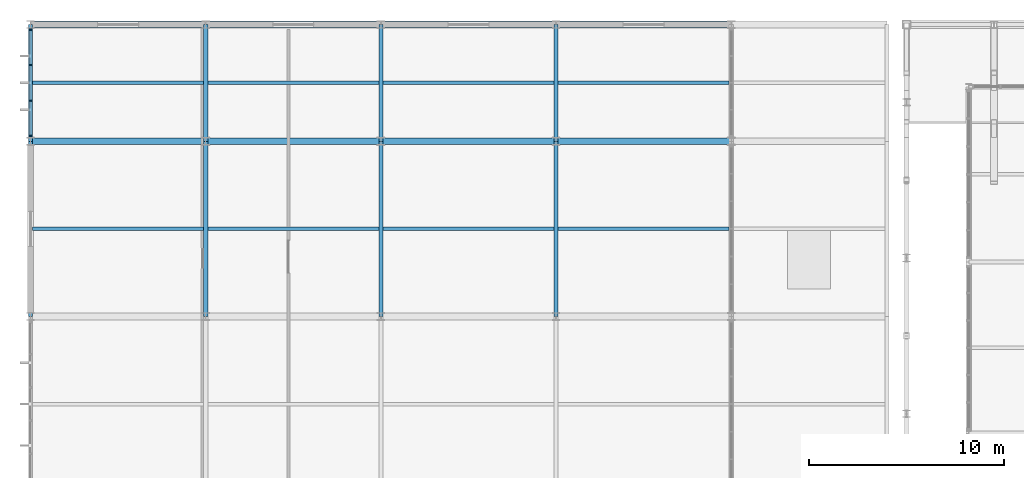
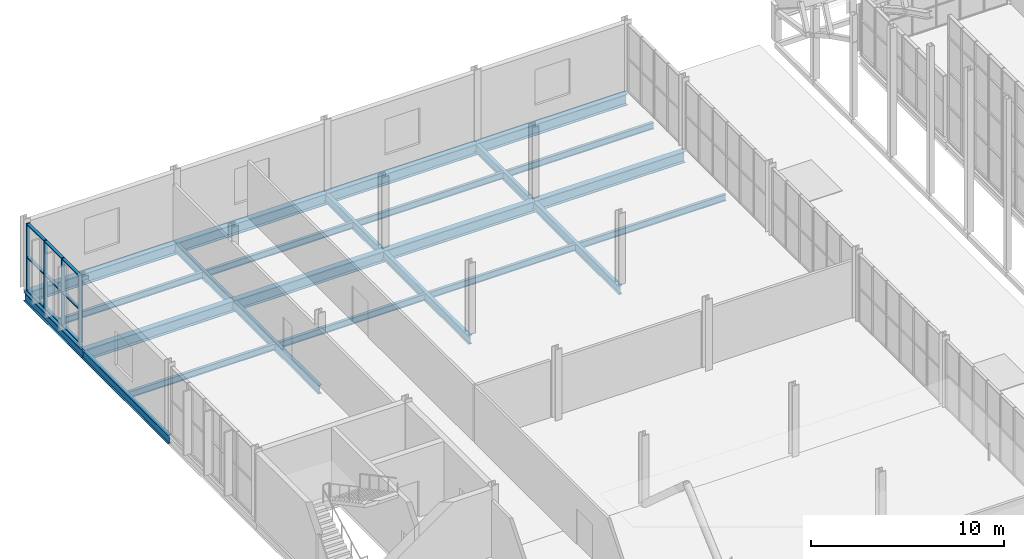
# One storey, part 52 of 134: 24 beams, 13 members, 1 element without a shape of its own.
"""IFC4 building model written with IfcOpenShell, lengths in metres."""

from ifc_helpers import new_model, si_unit, direction, frame, origin, origin_2d, place, context, subcontext, project, spatial, rectangle, i_section, extrude, material, layer, layer_set, material_profile, profile_set, type_object, element, aggregate, save


model = new_model("IFC4")

# Units and contexts
model_context = context("Model", 3, precision=1e-05, world=origin(), true_north=direction((0.0, 1.0)))
body_context = subcontext(model_context, "Body", "Model", "MODEL_VIEW")
ifc_project = project(units=[si_unit("LENGTHUNIT", "METRE"), si_unit("AREAUNIT", "SQUARE_METRE"), si_unit("VOLUMEUNIT", "CUBIC_METRE"), si_unit("PLANEANGLEUNIT", "RADIAN"), si_unit("MASSUNIT", "GRAM", prefix="KILO")], contexts=[model_context])

# Site, building, storey
site_placement = place(None, origin())
site = spatial("IfcSite", under=ifc_project, at=site_placement, CompositionType="ELEMENT")
building_placement = place(site_placement, origin())
building = spatial("IfcBuilding", under=site, at=building_placement, Name="Cazmaro Siding Exhibition Halls", CompositionType="ELEMENT")
storey_placement = place(building_placement, frame((0.0, 0.0, 12.0)))
storey = spatial("IfcBuildingStorey", under=building, at=storey_placement, Name="L02", CompositionType="ELEMENT", Elevation=12.0)

# Beams
ifc_material_1 = material(Name="Steel ASTM A992 Grade 50", Category="steel")
ifc_material_profile_1 = material_profile(ifc_material_1, i_section(OverallWidth=0.214111328125, OverallDepth=0.549072265625, WebThickness=0.014892578125, FlangeThickness=0.02392578125, at=origin_2d()), Name="W21X93")
ifc_profile_set_1 = profile_set([ifc_material_profile_1], Name="Steel ASTM A992 Grade 50")
beam_type_1 = type_object("IfcBeamType", Name="B-01", PredefinedType="BEAM", material=ifc_profile_set_1)
beam_1_placement = place(storey_placement, frame((0.0, 109.0, -0.4951171875), z_axis=(0.0, 1.0, 0.0), x_axis=(-1.0, 0.0, 0.0)))
element("IfcBeam", 1, at=beam_1_placement, inside=storey, type_object=beam_type_1, Name="Beam B-01 BM-2122", PredefinedType="BEAM", context=body_context, shape_type="SweptSolid", body=[
    extrude(i_section(OverallWidth=0.214111328125, OverallDepth=0.549072265625, WebThickness=0.014892578125, FlangeThickness=0.02392578125, at=origin_2d()), origin(), (0.0, 0.0, 1.0), 9.0),
])
beam_2_placement = place(storey_placement, frame((0.0, 118.0, -0.4951171875), z_axis=(0.0, 1.0, 0.0), x_axis=(-1.0, 0.0, 0.0)))
element("IfcBeam", 2, at=beam_2_placement, inside=storey, type_object=beam_type_1, Name="Beam B-01 BM-2123", PredefinedType="BEAM", context=body_context, shape_type="SweptSolid", body=[
    extrude(i_section(OverallWidth=0.214111328125, OverallDepth=0.549072265625, WebThickness=0.014892578125, FlangeThickness=0.02392578125, at=origin_2d()), origin(), (0.0, 0.0, 1.0), 6.0),
])
beam_3_placement = place(storey_placement, frame((9.0, 109.0, -0.4951171875), z_axis=(0.0, 1.0, 0.0), x_axis=(-1.0, 0.0, 0.0)))
element("IfcBeam", 3, at=beam_3_placement, inside=storey, type_object=beam_type_1, Name="Beam B-01 BM-2130", PredefinedType="BEAM", context=body_context, shape_type="SweptSolid", body=[
    extrude(i_section(OverallWidth=0.214111328125, OverallDepth=0.549072265625, WebThickness=0.014892578125, FlangeThickness=0.02392578125, at=origin_2d()), origin(), (0.0, 0.0, 1.0), 9.0),
])
beam_4_placement = place(storey_placement, frame((9.0, 118.0, -0.4951171875), z_axis=(0.0, 1.0, 0.0), x_axis=(-1.0, 0.0, 0.0)))
element("IfcBeam", 4, at=beam_4_placement, inside=storey, type_object=beam_type_1, Name="Beam B-01 BM-2131", PredefinedType="BEAM", context=body_context, shape_type="SweptSolid", body=[
    extrude(i_section(OverallWidth=0.214111328125, OverallDepth=0.549072265625, WebThickness=0.014892578125, FlangeThickness=0.02392578125, at=origin_2d()), origin(), (0.0, 0.0, 1.0), 6.0),
])
beam_5_placement = place(storey_placement, frame((18.0, 109.0, -0.4951171875), z_axis=(0.0, 1.0, 0.0), x_axis=(-1.0, 0.0, 0.0)))
element("IfcBeam", 5, at=beam_5_placement, inside=storey, type_object=beam_type_1, Name="Beam B-01 BM-2138", PredefinedType="BEAM", context=body_context, shape_type="SweptSolid", body=[
    extrude(i_section(OverallWidth=0.214111328125, OverallDepth=0.549072265625, WebThickness=0.014892578125, FlangeThickness=0.02392578125, at=origin_2d()), origin(), (0.0, 0.0, 1.0), 9.0),
])
beam_6_placement = place(storey_placement, frame((18.0, 118.0, -0.4951171875), z_axis=(0.0, 1.0, 0.0), x_axis=(-1.0, 0.0, 0.0)))
element("IfcBeam", 6, at=beam_6_placement, inside=storey, type_object=beam_type_1, Name="Beam B-01 BM-2139", PredefinedType="BEAM", context=body_context, shape_type="SweptSolid", body=[
    extrude(i_section(OverallWidth=0.214111328125, OverallDepth=0.549072265625, WebThickness=0.014892578125, FlangeThickness=0.02392578125, at=origin_2d()), origin(), (0.0, 0.0, 1.0), 6.0),
])
beam_7_placement = place(storey_placement, frame((27.0, 109.0, -0.4951171875), z_axis=(0.0, 1.0, 0.0), x_axis=(-1.0, 0.0, 0.0)))
element("IfcBeam", 7, at=beam_7_placement, inside=storey, type_object=beam_type_1, Name="Beam B-01 BM-2146", PredefinedType="BEAM", context=body_context, shape_type="SweptSolid", body=[
    extrude(i_section(OverallWidth=0.214111328125, OverallDepth=0.549072265625, WebThickness=0.014892578125, FlangeThickness=0.02392578125, at=origin_2d()), origin(), (0.0, 0.0, 1.0), 9.0),
])
beam_8_placement = place(storey_placement, frame((27.0, 118.0, -0.4951171875), z_axis=(0.0, 1.0, 0.0), x_axis=(-1.0, 0.0, 0.0)))
element("IfcBeam", 8, at=beam_8_placement, inside=storey, type_object=beam_type_1, Name="Beam B-01 BM-2147", PredefinedType="BEAM", context=body_context, shape_type="SweptSolid", body=[
    extrude(i_section(OverallWidth=0.214111328125, OverallDepth=0.549072265625, WebThickness=0.014892578125, FlangeThickness=0.02392578125, at=origin_2d()), origin(), (0.0, 0.0, 1.0), 6.0),
])

# Curtain wall, members
ifc_material_2 = material(Name="Anodized Bronze Aluminum and Solar-Control Low-E Glazing", Category="aluminium")
ifc_layer = layer(ifc_material_2, 0.199951171875)
ifc_layer_set = layer_set([ifc_layer], Name="Anodized Bronze Aluminum and Solar-Control Low-E Glazing")
curtain_wall_type = type_object("IfcCurtainWallType", Name="CWS-02", PredefinedType="USERDEFINED", material=ifc_layer_set)
curtain_wall_placement = place(storey_placement, origin())
curtain_wall = element("IfcCurtainWall", 9, at=curtain_wall_placement, inside=storey, type_object=curtain_wall_type, Name="Glazed Curtain Wall CWS-02 CW-245", ObjectType="GLAZED CURTAIN WALL", PredefinedType="USERDEFINED")
ifc_material_3 = material(Name="Anodized Bronze Extruded Aluminum", Category="aluminium")
ifc_material_profile_2 = material_profile(ifc_material_3, rectangle(XDim=0.199951171875, YDim=0.06494140625, at=origin_2d()), Name="CWM-02")
ifc_profile_set_2 = profile_set([ifc_material_profile_2], Name="Anodized Bronze Extruded Aluminum")
member_type_1 = type_object("IfcMemberType", Name="CWM-02", PredefinedType="MULLION", material=ifc_profile_set_2)
member_1_placement = place(storey_placement, frame((0.0, 123.722412109375, 0.0), z_axis=(0.0, 0.0, 1.0), x_axis=(1.0, 0.0, 0.0)))
member_1 = element("IfcMember", 10, at=member_1_placement, type_object=member_type_1, Name="CWS-02 mullion 1", PredefinedType="MULLION", context=body_context, shape_type="SweptSolid", body=[
    extrude(rectangle(XDim=0.199951171875, YDim=0.06494140625, at=origin_2d()), origin(), (0.0, 0.0, 1.0), 4.280029296875),
])
member_2_placement = place(storey_placement, frame((0.0, 121.918212890625, 0.0), z_axis=(0.0, 0.0, 1.0), x_axis=(1.0, 0.0, 0.0)))
member_2 = element("IfcMember", 11, at=member_2_placement, type_object=member_type_1, Name="CWS-02 mullion 2", PredefinedType="MULLION", context=body_context, shape_type="SweptSolid", body=[
    extrude(rectangle(XDim=0.199951171875, YDim=0.06494140625, at=origin_2d()), origin(), (0.0, 0.0, 1.0), 4.280029296875),
])
member_3_placement = place(storey_placement, frame((0.0, 120.081787109375, 0.0), z_axis=(0.0, 0.0, 1.0), x_axis=(1.0, 0.0, 0.0)))
member_3 = element("IfcMember", 12, at=member_3_placement, type_object=member_type_1, Name="CWS-02 mullion 3", PredefinedType="MULLION", context=body_context, shape_type="SweptSolid", body=[
    extrude(rectangle(XDim=0.199951171875, YDim=0.06494140625, at=origin_2d()), origin(), (0.0, 0.0, 1.0), 4.280029296875),
])
member_4_placement = place(storey_placement, frame((0.0, 118.277587890625, 0.0), z_axis=(0.0, 0.0, 1.0), x_axis=(1.0, 0.0, 0.0)))
member_4 = element("IfcMember", 13, at=member_4_placement, type_object=member_type_1, Name="CWS-02 mullion 4", PredefinedType="MULLION", context=body_context, shape_type="SweptSolid", body=[
    extrude(rectangle(XDim=0.199951171875, YDim=0.06494140625, at=origin_2d()), origin(), (0.0, 0.0, 1.0), 4.280029296875),
])
ifc_material_4 = material(Name="Anodized Bronze Extruded Aluminum", Category="aluminium")
ifc_material_profile_3 = material_profile(ifc_material_4, rectangle(XDim=0.179931640625, YDim=0.06494140625, at=origin_2d()), Name="CWT-02")
ifc_profile_set_3 = profile_set([ifc_material_profile_3], Name="Anodized Bronze Extruded Aluminum")
member_type_2 = type_object("IfcMemberType", Name="CWT-02", PredefinedType="MULLION", material=ifc_profile_set_3)
member_5_placement = place(storey_placement, frame((0.0, 123.68994140625, 0.032470703125), z_axis=(0.0, -1.0, 0.0), x_axis=(1.0, 0.0, 0.0)))
member_5 = element("IfcMember", 14, at=member_5_placement, type_object=member_type_2, Name="CWS-02 transom 1.1", ObjectType="TRANSOM", PredefinedType="USERDEFINED", context=body_context, shape_type="SweptSolid", body=[
    extrude(rectangle(XDim=0.179931640625, YDim=0.06494140625, at=origin_2d()), origin(), (0.0, 0.0, 1.0), 1.739013671875),
])
member_6_placement = place(storey_placement, frame((0.0, 123.68994140625, 2.139892578125), z_axis=(0.0, -1.0, 0.0), x_axis=(1.0, 0.0, 0.0)))
member_6 = element("IfcMember", 15, at=member_6_placement, type_object=member_type_2, Name="CWS-02 transom 1.2", ObjectType="TRANSOM", PredefinedType="USERDEFINED", context=body_context, shape_type="SweptSolid", body=[
    extrude(rectangle(XDim=0.179931640625, YDim=0.06494140625, at=origin_2d()), origin(), (0.0, 0.0, 1.0), 1.739013671875),
])
member_7_placement = place(storey_placement, frame((0.0, 123.68994140625, 4.24755859375), z_axis=(0.0, -1.0, 0.0), x_axis=(1.0, 0.0, 0.0)))
member_7 = element("IfcMember", 16, at=member_7_placement, type_object=member_type_2, Name="CWS-02 transom 1.3", ObjectType="TRANSOM", PredefinedType="USERDEFINED", context=body_context, shape_type="SweptSolid", body=[
    extrude(rectangle(XDim=0.179931640625, YDim=0.06494140625, at=origin_2d()), origin(), (0.0, 0.0, 1.0), 1.739013671875),
])
member_8_placement = place(storey_placement, frame((0.0, 121.8857421875, 0.032470703125), z_axis=(0.0, -1.0, 0.0), x_axis=(1.0, 0.0, 0.0)))
member_8 = element("IfcMember", 17, at=member_8_placement, type_object=member_type_2, Name="CWS-02 transom 2.1", ObjectType="TRANSOM", PredefinedType="USERDEFINED", context=body_context, shape_type="SweptSolid", body=[
    extrude(rectangle(XDim=0.179931640625, YDim=0.06494140625, at=origin_2d()), origin(), (0.0, 0.0, 1.0), 1.771484375),
])
member_9_placement = place(storey_placement, frame((0.0, 121.8857421875, 2.139892578125), z_axis=(0.0, -1.0, 0.0), x_axis=(1.0, 0.0, 0.0)))
member_9 = element("IfcMember", 18, at=member_9_placement, type_object=member_type_2, Name="CWS-02 transom 2.2", ObjectType="TRANSOM", PredefinedType="USERDEFINED", context=body_context, shape_type="SweptSolid", body=[
    extrude(rectangle(XDim=0.179931640625, YDim=0.06494140625, at=origin_2d()), origin(), (0.0, 0.0, 1.0), 1.771484375),
])
member_10_placement = place(storey_placement, frame((0.0, 121.8857421875, 4.24755859375), z_axis=(0.0, -1.0, 0.0), x_axis=(1.0, 0.0, 0.0)))
member_10 = element("IfcMember", 19, at=member_10_placement, type_object=member_type_2, Name="CWS-02 transom 2.3", ObjectType="TRANSOM", PredefinedType="USERDEFINED", context=body_context, shape_type="SweptSolid", body=[
    extrude(rectangle(XDim=0.179931640625, YDim=0.06494140625, at=origin_2d()), origin(), (0.0, 0.0, 1.0), 1.771484375),
])
member_11_placement = place(storey_placement, frame((0.0, 120.049072265625, 0.032470703125), z_axis=(0.0, -1.0, 0.0), x_axis=(1.0, 0.0, 0.0)))
member_11 = element("IfcMember", 20, at=member_11_placement, type_object=member_type_2, Name="CWS-02 transom 3.1", ObjectType="TRANSOM", PredefinedType="USERDEFINED", context=body_context, shape_type="SweptSolid", body=[
    extrude(rectangle(XDim=0.179931640625, YDim=0.06494140625, at=origin_2d()), origin(), (0.0, 0.0, 1.0), 1.739013671875),
])
member_12_placement = place(storey_placement, frame((0.0, 120.049072265625, 2.139892578125), z_axis=(0.0, -1.0, 0.0), x_axis=(1.0, 0.0, 0.0)))
member_12 = element("IfcMember", 21, at=member_12_placement, type_object=member_type_2, Name="CWS-02 transom 3.2", ObjectType="TRANSOM", PredefinedType="USERDEFINED", context=body_context, shape_type="SweptSolid", body=[
    extrude(rectangle(XDim=0.179931640625, YDim=0.06494140625, at=origin_2d()), origin(), (0.0, 0.0, 1.0), 1.739013671875),
])
member_13_placement = place(storey_placement, frame((0.0, 120.049072265625, 4.24755859375), z_axis=(0.0, -1.0, 0.0), x_axis=(1.0, 0.0, 0.0)))
member_13 = element("IfcMember", 22, at=member_13_placement, type_object=member_type_2, Name="CWS-02 transom 3.3", ObjectType="TRANSOM", PredefinedType="USERDEFINED", context=body_context, shape_type="SweptSolid", body=[
    extrude(rectangle(XDim=0.179931640625, YDim=0.06494140625, at=origin_2d()), origin(), (0.0, 0.0, 1.0), 1.739013671875),
])
aggregate(curtain_wall, [member_1, member_2, member_3, member_4, member_5, member_6, member_7, member_8, member_9, member_10, member_11, member_12, member_13])

# Beams
ifc_material_5 = material(Name="Steel ASTM A992 Grade 50", Category="steel")
ifc_material_profile_4 = material_profile(ifc_material_5, i_section(OverallWidth=0.35595703125, OverallDepth=0.696044921875, WebThickness=0.014892578125, FlangeThickness=0.02490234375, at=origin_2d()), Name="W27X146")
ifc_profile_set_4 = profile_set([ifc_material_profile_4], Name="Steel ASTM A992 Grade 50")
beam_type_2 = type_object("IfcBeamType", Name="G-05", PredefinedType="USERDEFINED", material=ifc_profile_set_4)
for number, where, z_axis, x_axis, name in (
    (23, (0.0, 118.0, -0.568115234375), (1.0, 0.0, 0.0), (0.0, 1.0, 0.0), "Beam G-05 BM-2057"),
    (24, (0.0, 124.0, -0.568115234375), (1.0, 0.0, 0.0), (0.0, 1.0, 0.0), "Beam G-05 BM-2058"),
    (25, (9.0, 118.0, -0.568115234375), (1.0, 0.0, 0.0), (0.0, 1.0, 0.0), "Beam G-05 BM-2072"),
    (26, (9.0, 124.0, -0.568115234375), (1.0, 0.0, 0.0), (0.0, 1.0, 0.0), "Beam G-05 BM-2073"),
    (27, (18.0, 118.0, -0.568115234375), (1.0, 0.0, 0.0), (0.0, 1.0, 0.0), "Beam G-05 BM-2089"),
    (28, (18.0, 124.0, -0.568115234375), (1.0, 0.0, 0.0), (0.0, 1.0, 0.0), "Beam G-05 BM-2090"),
    (29, (27.0, 118.0, -0.568115234375), (1.0, 0.0, 0.0), (0.0, 1.0, 0.0), "Beam G-05 BM-2106"),
    (30, (27.0, 124.0, -0.568115234375), (1.0, 0.0, 0.0), (0.0, 1.0, 0.0), "Beam G-05 BM-2107"),
):
    element("IfcBeam", number, at=place(storey_placement, frame(where, z_axis=z_axis, x_axis=x_axis)), inside=storey, type_object=beam_type_2, Name=name, ObjectType="GIRDER", PredefinedType="USERDEFINED", context=body_context, shape_type="SweptSolid", body=[
        extrude(i_section(OverallWidth=0.35595703125, OverallDepth=0.696044921875, WebThickness=0.014892578125, FlangeThickness=0.02490234375, at=origin_2d()), origin(), (0.0, 0.0, 1.0), 9.0),
    ])
ifc_material_6 = material(Name="Steel ASTM A992 Grade 50", Category="steel")
ifc_material_profile_5 = material_profile(ifc_material_6, i_section(OverallWidth=0.177978515625, OverallDepth=0.406005859375, WebThickness=0.008056640625, FlangeThickness=0.012939453125, at=origin_2d()), Name="W16X40")
ifc_profile_set_5 = profile_set([ifc_material_profile_5], Name="Steel ASTM A992 Grade 50")
beam_type_3 = type_object("IfcBeamType", Name="J-02", PredefinedType="JOIST", material=ifc_profile_set_5)
for number, where, z_axis, x_axis, name in (
    (31, (0.10693359375, 113.5, -0.423095703125), (1.0, 0.0, 0.0), (0.0, 1.0, 0.0), "Beam J-02 BM-2063"),
    (32, (0.10693359375, 121.0, -0.423095703125), (1.0, 0.0, 0.0), (0.0, 1.0, 0.0), "Beam J-02 BM-2064"),
    (33, (9.10693359375, 113.5, -0.423095703125), (1.0, 0.0, 0.0), (0.0, 1.0, 0.0), "Beam J-02 BM-2080"),
    (34, (9.10693359375, 121.0, -0.423095703125), (1.0, 0.0, 0.0), (0.0, 1.0, 0.0), "Beam J-02 BM-2081"),
    (35, (18.10693359375, 113.5, -0.423095703125), (1.0, 0.0, 0.0), (0.0, 1.0, 0.0), "Beam J-02 BM-2097"),
    (36, (18.10693359375, 121.0, -0.423095703125), (1.0, 0.0, 0.0), (0.0, 1.0, 0.0), "Beam J-02 BM-2098"),
    (37, (27.10693359375, 113.5, -0.423095703125), (1.0, 0.0, 0.0), (0.0, 1.0, 0.0), "Beam J-02 BM-2114"),
    (38, (27.10693359375, 121.0, -0.423095703125), (1.0, 0.0, 0.0), (0.0, 1.0, 0.0), "Beam J-02 BM-2115"),
):
    element("IfcBeam", number, at=place(storey_placement, frame(where, z_axis=z_axis, x_axis=x_axis)), inside=storey, type_object=beam_type_3, Name=name, PredefinedType="JOIST", context=body_context, shape_type="SweptSolid", body=[
        extrude(i_section(OverallWidth=0.177978515625, OverallDepth=0.406005859375, WebThickness=0.008056640625, FlangeThickness=0.012939453125, at=origin_2d()), origin(), (0.0, 0.0, 1.0), 8.7861328125),
    ])

save(model, "model.ifc")
